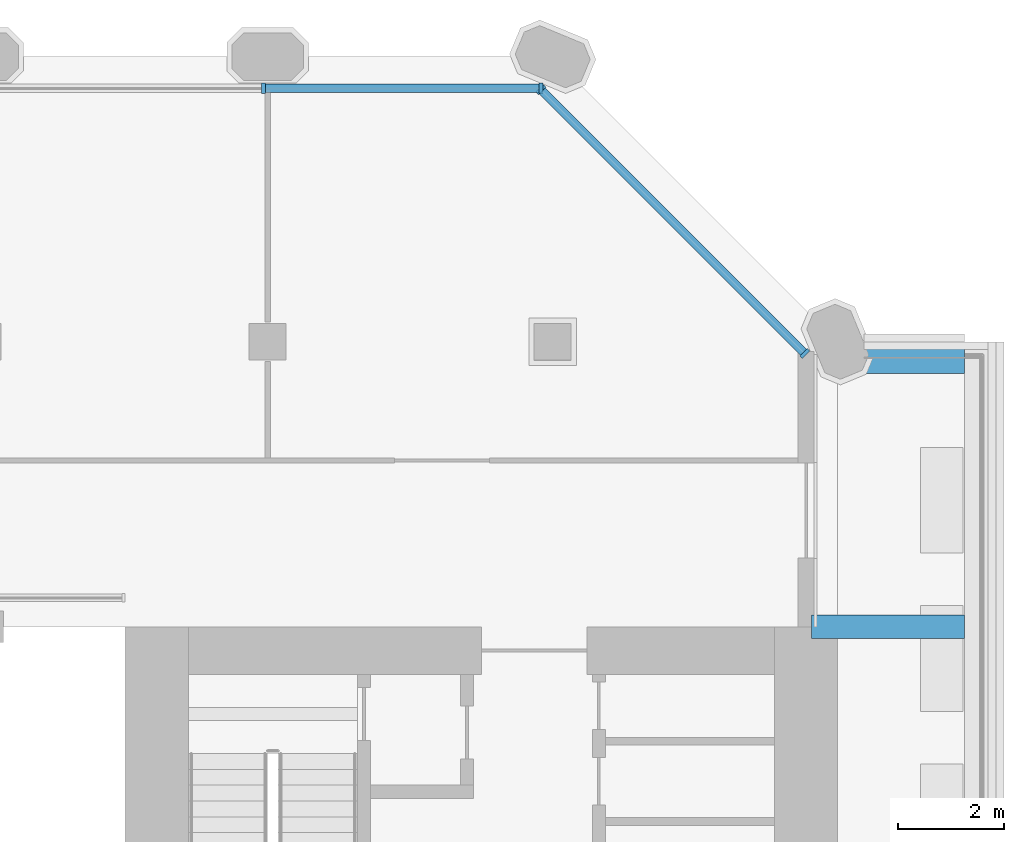
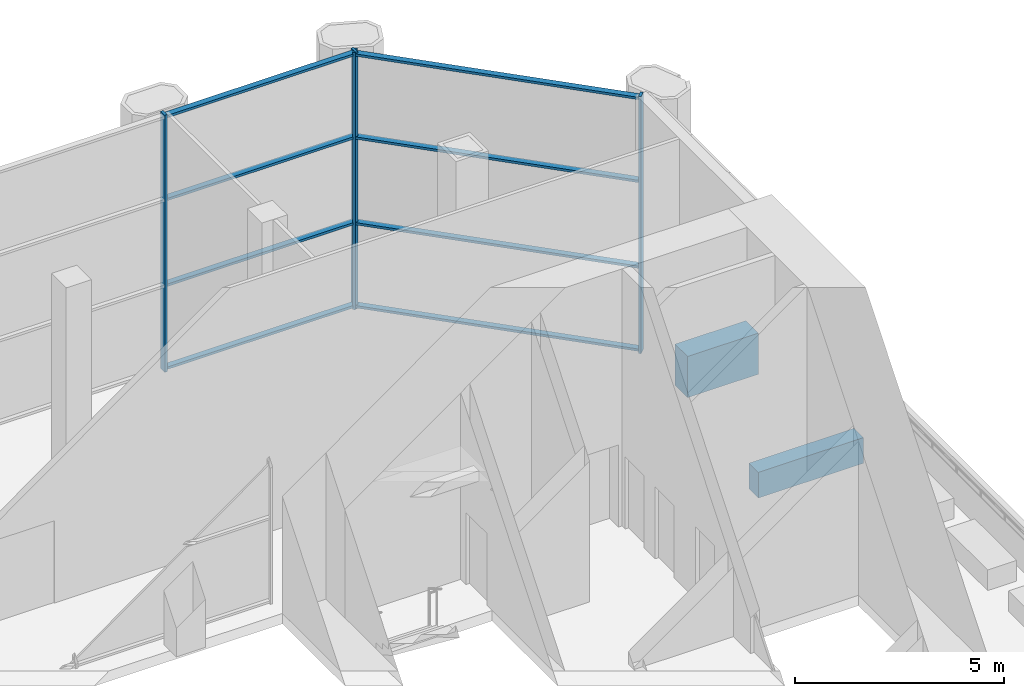
# One storey, part 7 of 20: 12 members, 2 beams, 2 elements without a shape of their own.
"""IFC4 building model written with IfcOpenShell, lengths in metres."""

from ifc_helpers import new_model, si_unit, direction, frame, origin, origin_2d, place, context, subcontext, project, spatial, rectangle, extrude, material, material_profile, profile_set, type_object, element, aggregate, save


model = new_model("IFC4")

# Units and contexts
model_context = context("Model", 3, precision=1e-05, world=origin(), true_north=direction((0.0, 1.0)))
body_context = subcontext(model_context, "Body", "Model", "MODEL_VIEW")
ifc_project = project(units=[si_unit("LENGTHUNIT", "METRE"), si_unit("AREAUNIT", "SQUARE_METRE"), si_unit("VOLUMEUNIT", "CUBIC_METRE"), si_unit("PLANEANGLEUNIT", "RADIAN"), si_unit("MASSUNIT", "GRAM", prefix="KILO")], contexts=[model_context])

# Site, building, storey
site_placement = place(None, origin())
site = spatial("IfcSite", under=ifc_project, at=site_placement, CompositionType="ELEMENT")
building_placement = place(site_placement, origin())
building = spatial("IfcBuilding", under=site, at=building_placement, Name="Tabaq Tower and Sports Hall", CompositionType="ELEMENT")
storey_placement = place(building_placement, frame((0.0, 0.0, 243.10009765625)))
storey = spatial("IfcBuildingStorey", under=building, at=storey_placement, Name="L60", CompositionType="ELEMENT", Elevation=243.10009765625)

# Curtain wall, members
ifc_material_1 = material(Name="Aluminium alloy 6063-T6 framed glazing", Category="aluminium")
curtain_wall_type = type_object("IfcCurtainWallType", Name="CW2 curtain wall", PredefinedType="USERDEFINED", material=ifc_material_1)
curtain_wall_1_placement = place(storey_placement, origin())
curtain_wall_1 = element("IfcCurtainWall", 1, at=curtain_wall_1_placement, inside=storey, type_object=curtain_wall_type, Name="Sky Lobby Wall L60 NE", ObjectType="SKY LOBBY WALL", PredefinedType="USERDEFINED")
ifc_material_2 = material(Name="Aluminium alloy 6063-T6", Category="aluminium")
ifc_material_profile_1 = material_profile(ifc_material_2, rectangle(XDim=0.199951171875, YDim=0.070068359375, at=origin_2d()), Name="MULLION 200x70")
ifc_profile_set_1 = profile_set([ifc_material_profile_1], Name="Aluminium alloy 6063-T6")
member_type_1 = type_object("IfcMemberType", Name="CW2 mullion 200x70", PredefinedType="MULLION", material=ifc_profile_set_1)
member_1_placement = place(storey_placement, frame((42.5751953125, 37.576171875, 0.0), z_axis=(0.0, 0.0, 1.0), x_axis=(-0.707106781187, -0.707106781187, 0.0)))
member_1 = element("IfcMember", 2, at=member_1_placement, type_object=member_type_1, Name="CW2 mullion 1", PredefinedType="MULLION", context=body_context, shape_type="SweptSolid", body=[
    extrude(rectangle(XDim=0.199951171875, YDim=0.070068359375, at=origin_2d()), origin(), (0.0, 0.0, 1.0), 7.5),
])
member_2_placement = place(storey_placement, frame((37.576171875, 42.5751953125, 0.0), z_axis=(0.0, 0.0, 1.0), x_axis=(-0.707106781187, -0.707106781187, 0.0)))
member_2 = element("IfcMember", 3, at=member_2_placement, type_object=member_type_1, Name="CW2 mullion 2", PredefinedType="MULLION", context=body_context, shape_type="SweptSolid", body=[
    extrude(rectangle(XDim=0.199951171875, YDim=0.070068359375, at=origin_2d()), origin(), (0.0, 0.0, 1.0), 7.5),
])

curtain_wall_2_placement = place(storey_placement, origin())
curtain_wall_2 = element("IfcCurtainWall", 4, at=curtain_wall_2_placement, inside=storey, type_object=curtain_wall_type, Name="Sky Lobby Wall L60 N", ObjectType="SKY LOBBY WALL", PredefinedType="USERDEFINED")
member_3_placement = place(storey_placement, frame((37.57861328125, 42.60009765625, 0.0), z_axis=(0.0, 0.0, 1.0), x_axis=(0.0, -1.0, 0.0)))
member_3 = element("IfcMember", 5, at=member_3_placement, type_object=member_type_1, Name="CW2 mullion 1", PredefinedType="MULLION", context=body_context, shape_type="SweptSolid", body=[
    extrude(rectangle(XDim=0.199951171875, YDim=0.070068359375, at=origin_2d()), origin(), (0.0, 0.0, 1.0), 7.5),
])
member_4_placement = place(storey_placement, frame((32.319580078125, 42.60009765625, 0.0), z_axis=(0.0, 0.0, 1.0), x_axis=(0.0, -1.0, 0.0)))
member_4 = element("IfcMember", 6, at=member_4_placement, type_object=member_type_1, Name="CW2 mullion 2", PredefinedType="MULLION", context=body_context, shape_type="SweptSolid", body=[
    extrude(rectangle(XDim=0.199951171875, YDim=0.070068359375, at=origin_2d()), origin(), (0.0, 0.0, 1.0), 7.5),
])

# Member
ifc_material_3 = material(Name="Aluminium alloy 6063-T6", Category="aluminium")
ifc_material_profile_2 = material_profile(ifc_material_3, rectangle(XDim=0.159912109375, YDim=0.070068359375, at=origin_2d()), Name="TRANSOM 160x70")
ifc_profile_set_2 = profile_set([ifc_material_profile_2], Name="Aluminium alloy 6063-T6")
member_type_2 = type_object("IfcMemberType", Name="CW2 transom 160x70", PredefinedType="USERDEFINED", material=ifc_profile_set_2)
member_5_placement = place(storey_placement, frame((42.550537109375, 37.60107421875, 0.079833984375), z_axis=(-0.707106781187, 0.707106781187, 0.0), x_axis=(-0.707106781187, -0.707106781187, 0.0)))
member_5 = element("IfcMember", 7, at=member_5_placement, type_object=member_type_2, Name="CW2 transom 1.1", ObjectType="TRANSOM", PredefinedType="USERDEFINED", context=body_context, shape_type="SweptSolid", body=[
    extrude(rectangle(XDim=0.159912109375, YDim=0.070068359375, at=origin_2d()), origin(), (0.0, 0.0, 1.0), 6.99951171875),
])

member_6_placement = place(storey_placement, frame((42.550537109375, 37.60107421875, 2.5), z_axis=(-0.707106781187, 0.707106781187, 0.0), x_axis=(-0.707106781187, -0.707106781187, 0.0)))
member_6 = element("IfcMember", 8, at=member_6_placement, type_object=member_type_2, Name="CW2 transom 1.2", ObjectType="TRANSOM", PredefinedType="USERDEFINED", context=body_context, shape_type="SweptSolid", body=[
    extrude(rectangle(XDim=0.159912109375, YDim=0.070068359375, at=origin_2d()), origin(), (0.0, 0.0, 1.0), 6.99951171875),
])

member_7_placement = place(storey_placement, frame((42.550537109375, 37.60107421875, 5.0), z_axis=(-0.707106781187, 0.707106781187, 0.0), x_axis=(-0.707106781187, -0.707106781187, 0.0)))
member_7 = element("IfcMember", 9, at=member_7_placement, type_object=member_type_2, Name="CW2 transom 1.3", ObjectType="TRANSOM", PredefinedType="USERDEFINED", context=body_context, shape_type="SweptSolid", body=[
    extrude(rectangle(XDim=0.159912109375, YDim=0.070068359375, at=origin_2d()), origin(), (0.0, 0.0, 1.0), 6.99951171875),
])

member_8_placement = place(storey_placement, frame((42.550537109375, 37.60107421875, 7.419921875), z_axis=(-0.707106781187, 0.707106781187, 0.0), x_axis=(-0.707106781187, -0.707106781187, 0.0)))
member_8 = element("IfcMember", 10, at=member_8_placement, type_object=member_type_2, Name="CW2 transom 1.4", ObjectType="TRANSOM", PredefinedType="USERDEFINED", context=body_context, shape_type="SweptSolid", body=[
    extrude(rectangle(XDim=0.159912109375, YDim=0.070068359375, at=origin_2d()), origin(), (0.0, 0.0, 1.0), 6.99951171875),
])

aggregate(curtain_wall_1, [member_1, member_2, member_5, member_6, member_7, member_8])

member_9_placement = place(storey_placement, frame((37.543701171875, 42.60009765625, 0.079833984375), z_axis=(-1.0, 0.0, 0.0), x_axis=(0.0, -1.0, 0.0)))
member_9 = element("IfcMember", 11, at=member_9_placement, type_object=member_type_2, Name="CW2 transom 1.1", ObjectType="TRANSOM", PredefinedType="USERDEFINED", context=body_context, shape_type="SweptSolid", body=[
    extrude(rectangle(XDim=0.159912109375, YDim=0.070068359375, at=origin_2d()), origin(), (0.0, 0.0, 1.0), 5.18896484375),
])

member_10_placement = place(storey_placement, frame((37.543701171875, 42.60009765625, 2.5), z_axis=(-1.0, 0.0, 0.0), x_axis=(0.0, -1.0, 0.0)))
member_10 = element("IfcMember", 12, at=member_10_placement, type_object=member_type_2, Name="CW2 transom 1.2", ObjectType="TRANSOM", PredefinedType="USERDEFINED", context=body_context, shape_type="SweptSolid", body=[
    extrude(rectangle(XDim=0.159912109375, YDim=0.070068359375, at=origin_2d()), origin(), (0.0, 0.0, 1.0), 5.18896484375),
])

member_11_placement = place(storey_placement, frame((37.543701171875, 42.60009765625, 5.0), z_axis=(-1.0, 0.0, 0.0), x_axis=(0.0, -1.0, 0.0)))
member_11 = element("IfcMember", 13, at=member_11_placement, type_object=member_type_2, Name="CW2 transom 1.3", ObjectType="TRANSOM", PredefinedType="USERDEFINED", context=body_context, shape_type="SweptSolid", body=[
    extrude(rectangle(XDim=0.159912109375, YDim=0.070068359375, at=origin_2d()), origin(), (0.0, 0.0, 1.0), 5.18896484375),
])

member_12_placement = place(storey_placement, frame((37.543701171875, 42.60009765625, 7.419921875), z_axis=(-1.0, 0.0, 0.0), x_axis=(0.0, -1.0, 0.0)))
member_12 = element("IfcMember", 14, at=member_12_placement, type_object=member_type_2, Name="CW2 transom 1.4", ObjectType="TRANSOM", PredefinedType="USERDEFINED", context=body_context, shape_type="SweptSolid", body=[
    extrude(rectangle(XDim=0.159912109375, YDim=0.070068359375, at=origin_2d()), origin(), (0.0, 0.0, 1.0), 5.18896484375),
])

aggregate(curtain_wall_2, [member_3, member_4, member_9, member_10, member_11, member_12])

# Beams
ifc_material_4 = material(Name="Concrete C40/50", Category="concrete")
ifc_material_profile_3 = material_profile(ifc_material_4, rectangle(XDim=0.60009765625, YDim=1.199951171875, at=origin_2d()), Name="EBT 600x1200")
ifc_profile_set_3 = profile_set([ifc_material_profile_3], Name="Concrete C40/50")
beam_type_1 = type_object("IfcBeamType", Name="Concrete C40/50 PT edge band EBT 600x1200", PredefinedType="BEAM", material=ifc_profile_set_3)
beam_1_placement = place(storey_placement, frame((43.64990234375, 37.5, -0.900146484375), z_axis=(1.0, 0.0, 0.0), x_axis=(0.0, 1.0, 0.0)))
element("IfcBeam", 15, at=beam_1_placement, inside=storey, type_object=beam_type_1, Name="Tray edge band L60", PredefinedType="BEAM", context=body_context, shape_type="SweptSolid", body=[
    extrude(rectangle(XDim=0.60009765625, YDim=1.199951171875, at=origin_2d()), origin(), (0.0, 0.0, 1.0), 1.9501953125),
])
ifc_material_5 = material(Name="Concrete C40/50", Category="concrete")
ifc_material_profile_4 = material_profile(ifc_material_5, rectangle(XDim=0.449951171875, YDim=0.75, at=origin_2d()), Name="CB 450x750")
ifc_profile_set_4 = profile_set([ifc_material_profile_4], Name="Concrete C40/50")
beam_type_2 = type_object("IfcBeamType", Name="PT CANTILEVER BEAM CB 450x750 C40/50", PredefinedType="BEAM", material=ifc_profile_set_4)
beam_2_placement = place(storey_placement, frame((45.60009765625, 32.39990234375, -0.675048828125), z_axis=(-1.0, 0.0, 0.0), x_axis=(0.0, -1.0, 0.0)))
element("IfcBeam", 16, at=beam_2_placement, inside=storey, type_object=beam_type_2, Name="Tray Cantilever Beam L60 T4 span 1", PredefinedType="BEAM", context=body_context, shape_type="SweptSolid", body=[
    extrude(rectangle(XDim=0.449951171875, YDim=0.75, at=origin_2d()), origin(), (0.0, 0.0, 1.0), 2.900146484375),
])

save(model, "model.ifc")
